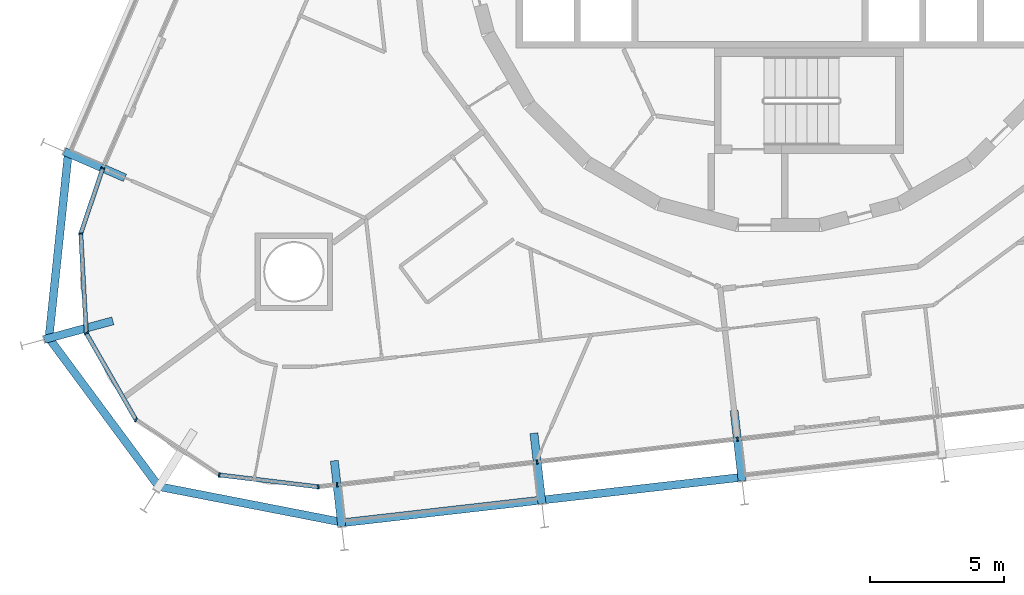
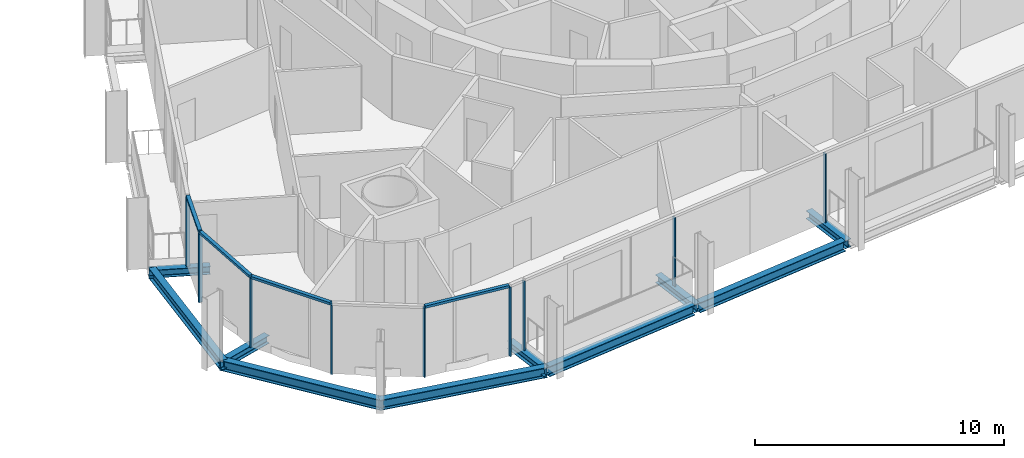
# One storey, part 3 of 24: 13 members, 10 beams, 2 elements without a shape of their own.
"""IFC4 building model written with IfcOpenShell, lengths in metres."""

import ifcopenshell
import ifcopenshell.guid

model = None  # the IFC model being written
_history = None  # IfcOwnerHistory: only IFC2X3 demands one
_inside = {}  # id of a spatial element -> (the spatial element, [elements in it])
_under = {}  # id of a project, library or spatial element -> (it, [spatial elements below it])
_declared = {}  # id of a project -> (the project, [libraries it declares])
_typed = {}  # id of a type object -> (the type object, [elements of that type])
_made_of = {}  # id of a material, layer set ... -> (it, [elements and type objects made of it])


def new_model(schema):
    """Start an empty IFC model of exactly this schema.

    Asked for "IFC4X3", IfcOpenShell would pick the latest addendum, in which some entities
    have other attributes; the version numbers below select the first issue.
    IFC2X3 requires an IfcOwnerHistory on every rooted entity: one is made here for all.
    """
    global model, _history
    if schema == "IFC4X3":
        model = ifcopenshell.file(schema_version=(4, 3, 0, 0))
    else:
        model = ifcopenshell.file(schema=schema)
    _inside.clear()
    _under.clear()
    _declared.clear()
    _typed.clear()
    _made_of.clear()
    _history = None
    if model.schema == "IFC2X3":
        org = make("IfcOrganization", Name="unknown")
        user = make(
            "IfcPersonAndOrganization",
            ThePerson=make("IfcPerson", FamilyName="unknown"),
            TheOrganization=org,
        )
        app = make(
            "IfcApplication",
            ApplicationDeveloper=org,
            Version="unknown",
            ApplicationFullName="unknown",
            ApplicationIdentifier="unknown",
        )
        _history = make(
            "IfcOwnerHistory",
            OwningUser=user,
            OwningApplication=app,
            ChangeAction="ADDED",
            CreationDate=0,
        )
    return model


def make(cls, **values):
    """One entity of the class cls with the attributes given. An attribute that is None is left unset."""
    return model.create_entity(
        cls, **{name: value for name, value in values.items() if value is not None}
    )


def rooted(cls, **values):
    """An entity with a GlobalId (a new one), such as an element, a storey or a relation."""
    return make(cls, GlobalId=ifcopenshell.guid.new(), OwnerHistory=_history, **values)


def si_unit(unit_type, name, prefix=None):
    """IfcSIUnit, for example si_unit("LENGTHUNIT", "METRE", prefix="MILLI")."""
    return make("IfcSIUnit", UnitType=unit_type, Prefix=prefix, Name=name)


def assignment(units):
    """IfcUnitAssignment: the units of a project."""
    return None if units is None else make("IfcUnitAssignment", Units=units)


def point(xyz):
    """IfcCartesianPoint."""
    return None if xyz is None else make("IfcCartesianPoint", Coordinates=xyz)


def direction(xyz):
    """IfcDirection."""
    return None if xyz is None else make("IfcDirection", DirectionRatios=xyz)


def frame(location, z_axis=None, x_axis=None):
    """IfcAxis2Placement3D, a coordinate frame: its origin and axes. An axis left out is left unset."""
    return make(
        "IfcAxis2Placement3D",
        Location=point(location),
        Axis=direction(z_axis),
        RefDirection=direction(x_axis),
    )


def frame_2d(location, x_axis=None):
    """IfcAxis2Placement2D, a coordinate frame in the plane: its origin and x axis."""
    return make(
        "IfcAxis2Placement2D", Location=point(location), RefDirection=direction(x_axis)
    )


def origin():
    """The frame at (0, 0, 0) with its axes left unset."""
    return frame((0.0, 0.0, 0.0))


def origin_2d():
    """The frame at (0, 0) in the plane with its x axis left unset."""
    return frame_2d((0.0, 0.0))


def place(relative_to, where):
    """IfcLocalPlacement: puts the frame where relative to a parent placement (None: the world)."""
    return make(
        "IfcLocalPlacement", PlacementRelTo=relative_to, RelativePlacement=where
    )


def context(
    kind, dimensions, precision=None, world=None, true_north=None, identifier=None
):
    """IfcGeometricRepresentationContext, for example the 3D "Model" context."""
    return make(
        "IfcGeometricRepresentationContext",
        ContextIdentifier=identifier,
        ContextType=kind,
        CoordinateSpaceDimension=dimensions,
        Precision=precision,
        WorldCoordinateSystem=world,
        TrueNorth=true_north,
    )


def subcontext(parent, identifier, kind, view, scale=None):
    """IfcGeometricRepresentationSubContext, for example "Body" below "Model"."""
    return make(
        "IfcGeometricRepresentationSubContext",
        ContextIdentifier=identifier,
        ContextType=kind,
        ParentContext=parent,
        TargetScale=scale,
        TargetView=view,
    )


def project(units=None, contexts=None):
    """IfcProject with its units and contexts."""
    return rooted(
        "IfcProject",
        Name="project",
        RepresentationContexts=contexts,
        UnitsInContext=assignment(units),
    )


def spatial(cls, under=None, at=None, **own):
    """A site, building, storey or space (cls), placed at a placement, below another one or the project."""
    s = rooted(cls, ObjectPlacement=at, **own)
    if under is not None:
        _under.setdefault(under.id(), (under, []))[1].append(s)
    return s


def profile(cls, at=None, kind="AREA", **sizes):
    """A parametric profile (cls). Its sizes go by their IFC names, for example OverallWidth=200.0."""
    return make(cls, ProfileType=kind, Position=at, **sizes)


def rectangle(**sizes):
    """IfcRectangleProfileDef."""
    return profile("IfcRectangleProfileDef", **sizes)


def i_section(**sizes):
    """IfcIShapeProfileDef."""
    return profile("IfcIShapeProfileDef", **sizes)


def extrude(swept, where, along, depth):
    """IfcExtrudedAreaSolid: the profile swept, set in the frame where, extruded along a direction by depth."""
    return make(
        "IfcExtrudedAreaSolid",
        SweptArea=swept,
        Position=where,
        ExtrudedDirection=direction(along),
        Depth=depth,
    )


def shape(context_of_items, identifier, shape_type, items):
    """IfcShapeRepresentation: the items that make up one representation, for example the "Body"."""
    return make(
        "IfcShapeRepresentation",
        ContextOfItems=context_of_items,
        RepresentationIdentifier=identifier,
        RepresentationType=shape_type,
        Items=items,
    )


def material(Name=None, Category=None):
    """IfcMaterial."""
    return make("IfcMaterial", Name=Name, Category=Category)


def layer(
    of_material, thickness, ventilated=None, Name=None, Category=None, Priority=None
):
    """IfcMaterialLayer: one layer of a wall or slab, of a material (None: an air gap)."""
    return make(
        "IfcMaterialLayer",
        Material=of_material,
        LayerThickness=thickness,
        IsVentilated=ventilated,
        Name=Name,
        Category=Category,
        Priority=Priority,
    )


def layer_set(layers, Name=None):
    """IfcMaterialLayerSet."""
    return make("IfcMaterialLayerSet", MaterialLayers=layers, LayerSetName=Name)


def material_profile(
    of_material, cross_section, Name=None, Category=None, Priority=None
):
    """IfcMaterialProfile: a cross section and its material."""
    return make(
        "IfcMaterialProfile",
        Name=Name,
        Material=of_material,
        Profile=cross_section,
        Priority=Priority,
        Category=Category,
    )


def profile_set(profiles, Name=None, composite=None):
    """IfcMaterialProfileSet."""
    return make(
        "IfcMaterialProfileSet",
        Name=Name,
        MaterialProfiles=profiles,
        CompositeProfile=composite,
    )


def made_of(thing, what):
    """Note that an element or type object is made of a material, layer set ...; save() writes the relation."""
    if what is not None:
        _made_of.setdefault(what.id(), (what, []))[1].append(thing)
    return thing


def type_object(cls, material=None, **own):
    """A type object (cls), such as IfcWallType, which elements share."""
    return made_of(rooted(cls, **own), material)


def element(
    cls,
    number,
    at=None,
    inside=None,
    cuts=None,
    type_object=None,
    material=None,
    context=None,
    identifier="Body",
    shape_type=None,
    held_by="IfcProductDefinitionShape",
    body=None,
    shapes=None,
    **own,
):
    """One element of the class cls, such as IfcWall. Its Tag is "e" and its number.

    at: its placement. inside: the storey or other place that contains it. cuts: it is an
    opening in that element (IfcRelVoidsElement). A single representation is given by context,
    identifier, shape_type and body (its items); several are given by shapes. held_by: the class
    of the entity that holds the representations. save() writes the other relations.
    """
    e = rooted(cls, Tag="e%d" % number, ObjectPlacement=at, **own)
    if body is not None:
        shapes = [shape(context, identifier, shape_type, body)]
    if shapes is not None:
        e.Representation = make(held_by, Representations=shapes)
    if inside is not None:
        _inside.setdefault(inside.id(), (inside, []))[1].append(e)
    if cuts is not None:
        rooted(
            "IfcRelVoidsElement", RelatingBuildingElement=cuts, RelatedOpeningElement=e
        )
    if type_object is not None:
        _typed.setdefault(type_object.id(), (type_object, []))[1].append(e)
    return made_of(e, material)


def aggregate(whole, parts):
    """IfcRelAggregates: a whole, such as a stair, and the parts it consists of."""
    return rooted("IfcRelAggregates", RelatingObject=whole, RelatedObjects=parts)


def save(model, path):
    """Write the relations noted so far, then the file.

    IfcRelAggregates (storeys below a building ...), IfcRelContainedInSpatialStructure (elements
    in a storey), IfcRelDefinesByType, IfcRelAssociatesMaterial and IfcRelDeclares: one each for
    every whole, place, type object, material and project.
    """
    for whole, parts in _under.values():
        aggregate(whole, parts)
    for where, things in _inside.values():
        rooted(
            "IfcRelContainedInSpatialStructure",
            RelatedElements=things,
            RelatingStructure=where,
        )
    for kind, things in _typed.values():
        rooted("IfcRelDefinesByType", RelatedObjects=things, RelatingType=kind)
    for what, things in _made_of.values():
        rooted("IfcRelAssociatesMaterial", RelatedObjects=things, RelatingMaterial=what)
    for by, libraries in _declared.values():
        rooted("IfcRelDeclares", RelatingContext=by, RelatedDefinitions=libraries)
    model.write(path)


model = new_model("IFC4")

# Units and contexts
model_context = context("Model", 3, precision=1e-05, world=origin(), true_north=direction((0.0, 1.0)))
body_context = subcontext(model_context, "Body", "Model", "MODEL_VIEW")
ifc_project = project(units=[si_unit("LENGTHUNIT", "METRE"), si_unit("AREAUNIT", "SQUARE_METRE"), si_unit("VOLUMEUNIT", "CUBIC_METRE"), si_unit("PLANEANGLEUNIT", "RADIAN"), si_unit("MASSUNIT", "GRAM", prefix="KILO")], contexts=[model_context])

# Site, building, storey
site_placement = place(None, origin())
site = spatial("IfcSite", under=ifc_project, at=site_placement, CompositionType="ELEMENT")
building_placement = place(site_placement, origin())
building = spatial("IfcBuilding", under=site, at=building_placement, Name="Spindle Arch Residences", CompositionType="ELEMENT")
storey_placement = place(building_placement, frame((0.0, 0.0, 94.199951171875)))
storey = spatial("IfcBuildingStorey", under=building, at=storey_placement, Name="L22", CompositionType="ELEMENT", Elevation=94.199951171875)

# Curtain wall, members
ifc_material_1 = material(Name="Aluminium bronze unitised frame with tinted glass", Category="aluminium")
ifc_layer_1 = layer(ifc_material_1, 0.159912109375)
ifc_layer_set_1 = layer_set([ifc_layer_1], Name="CW-D corner wall on the fillet arcs")
curtain_wall_type_1 = type_object("IfcCurtainWallType", Name="CW-D corner wall on the fillet arcs", PredefinedType="NOTDEFINED", material=ifc_layer_set_1)
curtain_wall_1_placement = place(storey_placement, origin())
curtain_wall_1 = element("IfcCurtainWall", 1, at=curtain_wall_1_placement, inside=storey, type_object=curtain_wall_type_1, Name="CW-D L22 run 5", PredefinedType="NOTDEFINED")
ifc_material_2 = material(Name="Aluminium bronze anodised mullion", Category="aluminium")
ifc_material_profile_1 = material_profile(ifc_material_2, rectangle(XDim=0.159912109375, YDim=0.06005859375, at=origin_2d()), Name="MU 60x160")
ifc_profile_set_1 = profile_set([ifc_material_profile_1], Name="Aluminium bronze anodised mullion")
member_type_1 = type_object("IfcMemberType", Name="Bronze mullion 60x160", PredefinedType="MULLION", material=ifc_profile_set_1)
member_1_placement = place(storey_placement, frame((-25.22900390625, -9.527099609375, -0.3798828125), z_axis=(0.0, 0.0, 1.0), x_axis=(0.947509671237, -0.319727106941, 0.0)))
member_1 = element("IfcMember", 2, at=member_1_placement, type_object=member_type_1, Name="CW-D mullion 00", PredefinedType="MULLION", context=body_context, shape_type="SweptSolid", body=[
    extrude(rectangle(XDim=0.159912109375, YDim=0.06005859375, at=origin_2d()), origin(), (0.0, 0.0, 1.0), 3.3798828125),
])
member_2_placement = place(storey_placement, frame((-26.052001953125, -11.96630859375, -0.3798828125), z_axis=(0.0, 0.0, 1.0), x_axis=(0.998473071057, 0.055240622495, 0.0)))
member_2 = element("IfcMember", 3, at=member_2_placement, type_object=member_type_1, Name="CW-D mullion 01", PredefinedType="MULLION", context=body_context, shape_type="SweptSolid", body=[
    extrude(rectangle(XDim=0.159912109375, YDim=0.06005859375, at=origin_2d()), origin(), (0.0, 0.0, 1.0), 3.3798828125),
])
member_3_placement = place(storey_placement, frame((-25.84619140625, -15.687255859375, -0.3798828125), z_axis=(0.0, 0.0, 1.0), x_axis=(0.867476179247, 0.497478721595, 0.0)))
member_3 = element("IfcMember", 4, at=member_3_placement, type_object=member_type_1, Name="CW-D mullion 02", PredefinedType="MULLION", context=body_context, shape_type="SweptSolid", body=[
    extrude(rectangle(XDim=0.159912109375, YDim=0.06005859375, at=origin_2d()), origin(), (0.0, 0.0, 1.0), 3.3798828125),
])
member_4_placement = place(storey_placement, frame((-23.9921875, -18.920166015625, -0.3798828125), z_axis=(0.0, 0.0, 1.0), x_axis=(0.551936987903, 0.833885820352, 0.0)))
member_4 = element("IfcMember", 5, at=member_4_placement, type_object=member_type_1, Name="CW-D mullion 03", PredefinedType="MULLION", context=body_context, shape_type="SweptSolid", body=[
    extrude(rectangle(XDim=0.159912109375, YDim=0.06005859375, at=origin_2d()), origin(), (0.0, 0.0, 1.0), 3.3798828125),
])
member_5_placement = place(storey_placement, frame((-20.884521484375, -20.97705078125, -0.3798828125), z_axis=(0.0, 0.0, 1.0), x_axis=(0.118981636756, 0.992896454881, 0.0)))
member_5 = element("IfcMember", 6, at=member_5_placement, type_object=member_type_1, Name="CW-D mullion 04", PredefinedType="MULLION", context=body_context, shape_type="SweptSolid", body=[
    extrude(rectangle(XDim=0.159912109375, YDim=0.06005859375, at=origin_2d()), origin(), (0.0, 0.0, 1.0), 3.3798828125),
])
member_6_placement = place(storey_placement, frame((-17.18408203125, -21.42041015625, -0.3798828125), z_axis=(0.0, 0.0, 1.0), x_axis=(-0.113203213768, 0.993571855677, 0.0)))
member_6 = element("IfcMember", 7, at=member_6_placement, type_object=member_type_1, Name="CW-D mullion 05", PredefinedType="MULLION", context=body_context, shape_type="SweptSolid", body=[
    extrude(rectangle(XDim=0.159912109375, YDim=0.06005859375, at=origin_2d()), origin(), (0.0, 0.0, 1.0), 3.3798828125),
])

ifc_material_3 = material(Name="Aluminium bronze unitised frame with tinted glass", Category="aluminium")
ifc_layer_2 = layer(ifc_material_3, 0.159912109375)
ifc_layer_set_2 = layer_set([ifc_layer_2], Name="CW-C typical residential unitised wall")
curtain_wall_type_2 = type_object("IfcCurtainWallType", Name="CW-C typical residential unitised wall", PredefinedType="NOTDEFINED", material=ifc_layer_set_2)
curtain_wall_2_placement = place(storey_placement, origin())
curtain_wall_2 = element("IfcCurtainWall", 8, at=curtain_wall_2_placement, inside=storey, type_object=curtain_wall_type_2, Name="CW-C L22 run 6", PredefinedType="NOTDEFINED")
member_7_placement = place(storey_placement, frame((-16.487060546875, -21.341064453125, -0.3798828125), z_axis=(0.0, 0.0, 1.0), x_axis=(-0.113203213768, 0.993571855677, 0.0)))
member_7 = element("IfcMember", 9, at=member_7_placement, type_object=member_type_1, Name="CW-C mullion 21", PredefinedType="MULLION", context=body_context, shape_type="SweptSolid", body=[
    extrude(rectangle(XDim=0.159912109375, YDim=0.06005859375, at=origin_2d()), origin(), (0.0, 0.0, 1.0), 3.3798828125),
])
member_8_placement = place(storey_placement, frame((-9.0166015625, -20.489990234375, -0.3798828125), z_axis=(0.0, 0.0, 1.0), x_axis=(-0.113203213768, 0.993571855677, 0.0)))
member_8 = element("IfcMember", 10, at=member_8_placement, type_object=member_type_1, Name="CW-C mullion 22", PredefinedType="MULLION", context=body_context, shape_type="SweptSolid", body=[
    extrude(rectangle(XDim=0.159912109375, YDim=0.06005859375, at=origin_2d()), origin(), (0.0, 0.0, 1.0), 3.3798828125),
])
member_9_placement = place(storey_placement, frame((-1.546142578125, -19.638671875, -0.3798828125), z_axis=(0.0, 0.0, 1.0), x_axis=(-0.113203213768, 0.993571855677, 0.0)))
member_9 = element("IfcMember", 11, at=member_9_placement, type_object=member_type_1, Name="CW-C mullion 23", PredefinedType="MULLION", context=body_context, shape_type="SweptSolid", body=[
    extrude(rectangle(XDim=0.159912109375, YDim=0.06005859375, at=origin_2d()), origin(), (0.0, 0.0, 1.0), 3.3798828125),
])
aggregate(curtain_wall_2, [member_7, member_8, member_9])

# Member
ifc_material_4 = material(Name="Aluminium bronze anodised transom", Category="aluminium")
ifc_material_profile_2 = material_profile(ifc_material_4, rectangle(XDim=0.159912109375, YDim=0.1201171875, at=origin_2d()), Name="TR 120x160")
ifc_profile_set_2 = profile_set([ifc_material_profile_2], Name="Aluminium bronze anodised transom")
member_type_2 = type_object("IfcMemberType", Name="Bronze transom 120x160", PredefinedType="USERDEFINED", material=ifc_profile_set_2)
member_10_placement = place(storey_placement, frame((-25.238525390625, -9.5556640625, 3.06005859375), z_axis=(-0.319779733892, -0.947491911201, 0.0), x_axis=(0.947491911201, -0.319779733892, 0.0)))
member_10 = element("IfcMember", 12, at=member_10_placement, type_object=member_type_2, Name="CW-D transom 00", ObjectType="TRANSOM", PredefinedType="USERDEFINED", context=body_context, shape_type="SweptSolid", body=[
    extrude(rectangle(XDim=0.159912109375, YDim=0.1201171875, at=origin_2d()), origin(), (0.0, 0.0, 1.0), 2.51416015625),
])

member_11_placement = place(storey_placement, frame((-26.05029296875, -11.99609375, 3.06005859375), z_axis=(0.055197130558, -0.998475476303, 0.0), x_axis=(0.998475476303, 0.055197130558, 0.0)))
member_11 = element("IfcMember", 13, at=member_11_placement, type_object=member_type_2, Name="CW-D transom 01", ObjectType="TRANSOM", PredefinedType="USERDEFINED", context=body_context, shape_type="SweptSolid", body=[
    extrude(rectangle(XDim=0.159912109375, YDim=0.1201171875, at=origin_2d()), origin(), (0.0, 0.0, 1.0), 3.666748046875),
])

member_12_placement = place(storey_placement, frame((-25.831298828125, -15.71337890625, 3.06005859375), z_axis=(0.497515065253, -0.867455335937, 0.0), x_axis=(0.867455335937, 0.497515065253, 0.0)))
member_12 = element("IfcMember", 14, at=member_12_placement, type_object=member_type_2, Name="CW-D transom 02", ObjectType="TRANSOM", PredefinedType="USERDEFINED", context=body_context, shape_type="SweptSolid", body=[
    extrude(rectangle(XDim=0.159912109375, YDim=0.1201171875, at=origin_2d()), origin(), (0.0, 0.0, 1.0), 3.666748046875),
])

member_13_placement = place(storey_placement, frame((-20.854736328125, -20.980712890625, 3.06005859375), z_axis=(0.992896987084, -0.118977195462, 0.0), x_axis=(0.118977195462, 0.992896987084, 0.0)))
member_13 = element("IfcMember", 15, at=member_13_placement, type_object=member_type_2, Name="CW-D transom 04", ObjectType="TRANSOM", PredefinedType="USERDEFINED", context=body_context, shape_type="SweptSolid", body=[
    extrude(rectangle(XDim=0.159912109375, YDim=0.1201171875, at=origin_2d()), origin(), (0.0, 0.0, 1.0), 3.6669921875),
])

aggregate(curtain_wall_1, [member_1, member_10, member_2, member_11, member_3, member_12, member_4, member_5, member_13, member_6])

# Beams
ifc_material_5 = material(Name="Steel S460ML, intumescent coating R 120", Category="steel")
ifc_material_profile_3 = material_profile(ifc_material_5, i_section(OverallWidth=0.300048828125, OverallDepth=0.5, WebThickness=0.014404296875, FlangeThickness=0.028076171875, FilletRadius=0.027099609375, at=origin_2d()), Name="HEB 500")
ifc_profile_set_3 = profile_set([ifc_material_profile_3], Name="Steel S460ML, intumescent coating R 120")
beam_type_1 = type_object("IfcBeamType", Name="Exoskeleton edge beam HEB 500", PredefinedType="BEAM", material=ifc_profile_set_3)
beam_1_placement = place(storey_placement, frame((-26.509521484375, -8.8935546875, -0.6298828125), z_axis=(-0.104068514681, -0.994570130384, 0.0), x_axis=(0.994570130384, -0.104068514681, 0.0)))
element("IfcBeam", 16, at=beam_1_placement, inside=storey, type_object=beam_type_1, Name="Exoskeleton edge beam 19", PredefinedType="BEAM", context=body_context, shape_type="SweptSolid", body=[
    extrude(i_section(OverallWidth=0.300048828125, OverallDepth=0.5, WebThickness=0.014404296875, FlangeThickness=0.028076171875, FilletRadius=0.027099609375, at=origin_2d()), origin(), (0.0, 0.0, 1.0), 7.09423828125),
])
beam_2_placement = place(storey_placement, frame((-27.297607421875, -15.791259765625, -0.6298828125), z_axis=(0.594811393653, -0.803865290942, 0.0), x_axis=(0.803865290942, 0.594811393653, 0.0)))
element("IfcBeam", 17, at=beam_2_placement, inside=storey, type_object=beam_type_1, Name="Exoskeleton edge beam 20", PredefinedType="BEAM", context=body_context, shape_type="SweptSolid", body=[
    extrude(i_section(OverallWidth=0.300048828125, OverallDepth=0.5, WebThickness=0.014404296875, FlangeThickness=0.028076171875, FilletRadius=0.027099609375, at=origin_2d()), origin(), (0.0, 0.0, 1.0), 7.08642578125),
])
beam_3_placement = place(storey_placement, frame((-23.218994140625, -21.39404296875, -0.6298828125), z_axis=(0.981537577594, -0.191269401033, 0.0), x_axis=(0.191269401033, 0.981537577594, 0.0)))
element("IfcBeam", 18, at=beam_3_placement, inside=storey, type_object=beam_type_1, Name="Exoskeleton edge beam 21", PredefinedType="BEAM", context=body_context, shape_type="SweptSolid", body=[
    extrude(i_section(OverallWidth=0.300048828125, OverallDepth=0.5, WebThickness=0.014404296875, FlangeThickness=0.028076171875, FilletRadius=0.027099609375, at=origin_2d()), origin(), (0.0, 0.0, 1.0), 7.09423828125),
])
for number, where, z_axis, x_axis, name in (
    (19, (-16.19580078125, -22.750244140625, -0.6298828125), (0.993570992395, 0.11321079044, 0.0), (-0.11321079044, 0.993570992395, 0.0), "Exoskeleton edge beam 22"),
    (20, (-8.725341796875, -21.899169921875, -0.6298828125), (0.993570992395, 0.11321079044, 0.0), (-0.11321079044, 0.993570992395, 0.0), "Exoskeleton edge beam 23"),
):
    element("IfcBeam", number, at=place(storey_placement, frame(where, z_axis=z_axis, x_axis=x_axis)), inside=storey, type_object=beam_type_1, Name=name, PredefinedType="BEAM", context=body_context, shape_type="SweptSolid", body=[
        extrude(i_section(OverallWidth=0.300048828125, OverallDepth=0.5, WebThickness=0.014404296875, FlangeThickness=0.028076171875, FilletRadius=0.027099609375, at=origin_2d()), origin(), (0.0, 0.0, 1.0), 7.2587890625),
    ])
ifc_material_6 = material(Name="Steel S460ML, intumescent coating R 120", Category="steel")
ifc_material_profile_4 = material_profile(ifc_material_6, i_section(OverallWidth=0.300048828125, OverallDepth=0.389892578125, WebThickness=0.010986328125, FlangeThickness=0.01904296875, FilletRadius=0.027099609375, at=origin_2d()), Name="HEA 400")
ifc_profile_set_4 = profile_set([ifc_material_profile_4], Name="Steel S460ML, intumescent coating R 120")
beam_type_2 = type_object("IfcBeamType", Name="Floor outrigger HEA 400", PredefinedType="BEAM", material=ifc_profile_set_4)
beam_4_placement = place(storey_placement, frame((-26.668701171875, -8.901123046875, -0.574951171875), z_axis=(0.917057489876, -0.398755012836, 0.0), x_axis=(0.398755012836, 0.917057489876, 0.0)))
element("IfcBeam", 21, at=beam_4_placement, inside=storey, type_object=beam_type_2, Name="Floor outrigger 19", PredefinedType="BEAM", context=body_context, shape_type="SweptSolid", body=[
    extrude(i_section(OverallWidth=0.300048828125, OverallDepth=0.389892578125, WebThickness=0.010986328125, FlangeThickness=0.01904296875, FilletRadius=0.027099609375, at=origin_2d()), origin(), (0.0, 0.0, 1.0), 2.47119140625),
])
beam_5_placement = place(storey_placement, frame((-27.41259765625, -15.918212890625, -0.574951171875), z_axis=(0.965139144412, 0.261737333837, 0.0), x_axis=(-0.261737333837, 0.965139144412, 0.0)))
element("IfcBeam", 22, at=beam_5_placement, inside=storey, type_object=beam_type_2, Name="Floor outrigger 20", PredefinedType="BEAM", context=body_context, shape_type="SweptSolid", body=[
    extrude(i_section(OverallWidth=0.300048828125, OverallDepth=0.389892578125, WebThickness=0.010986328125, FlangeThickness=0.01904296875, FilletRadius=0.027099609375, at=origin_2d()), origin(), (0.0, 0.0, 1.0), 2.64990234375),
])
beam_6_placement = place(storey_placement, frame((-16.309326171875, -22.90087890625, -0.574951171875), z_axis=(-0.113228917078, 0.993568926818, 0.0), x_axis=(-0.993568926818, -0.113228917078, 0.0)))
element("IfcBeam", 23, at=beam_6_placement, inside=storey, type_object=beam_type_2, Name="Floor outrigger 22", PredefinedType="BEAM", context=body_context, shape_type="SweptSolid", body=[
    extrude(i_section(OverallWidth=0.300048828125, OverallDepth=0.389892578125, WebThickness=0.010986328125, FlangeThickness=0.01904296875, FilletRadius=0.027099609375, at=origin_2d()), origin(), (0.0, 0.0, 1.0), 2.470947265625),
])
beam_7_placement = place(storey_placement, frame((-8.8388671875, -22.0498046875, -0.574951171875), z_axis=(-0.113232173128, 0.993568555747, 0.0), x_axis=(-0.993568555747, -0.113232173128, 0.0)))
element("IfcBeam", 24, at=beam_7_placement, inside=storey, type_object=beam_type_2, Name="Floor outrigger 23", PredefinedType="BEAM", context=body_context, shape_type="SweptSolid", body=[
    extrude(i_section(OverallWidth=0.300048828125, OverallDepth=0.389892578125, WebThickness=0.010986328125, FlangeThickness=0.01904296875, FilletRadius=0.027099609375, at=origin_2d()), origin(), (0.0, 0.0, 1.0), 2.64990234375),
])
beam_8_placement = place(storey_placement, frame((-1.368408203125, -21.19873046875, -0.574951171875), z_axis=(-0.113221808681, 0.993569736878, 0.0), x_axis=(-0.993569736878, -0.113221808681, 0.0)))
element("IfcBeam", 25, at=beam_8_placement, inside=storey, type_object=beam_type_2, Name="Floor outrigger 24", PredefinedType="BEAM", context=body_context, shape_type="SweptSolid", body=[
    extrude(i_section(OverallWidth=0.300048828125, OverallDepth=0.389892578125, WebThickness=0.010986328125, FlangeThickness=0.01904296875, FilletRadius=0.027099609375, at=origin_2d()), origin(), (0.0, 0.0, 1.0), 2.650146484375),
])

save(model, "model.ifc")
